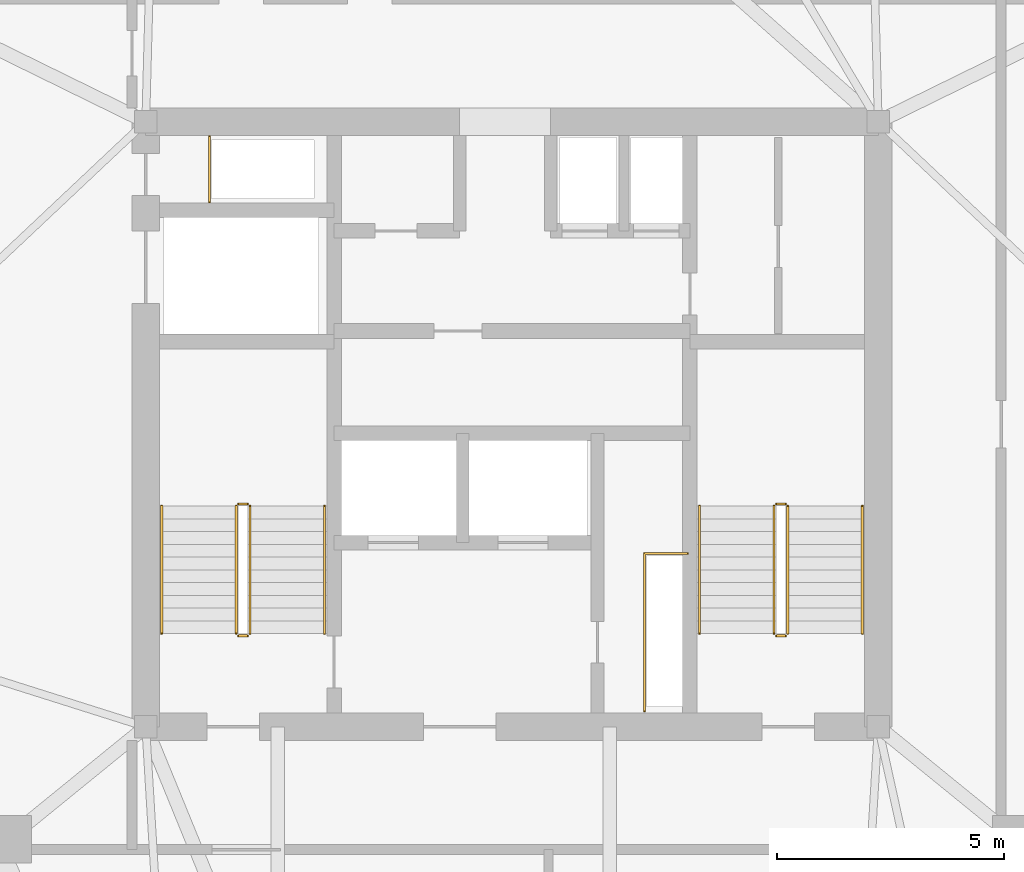
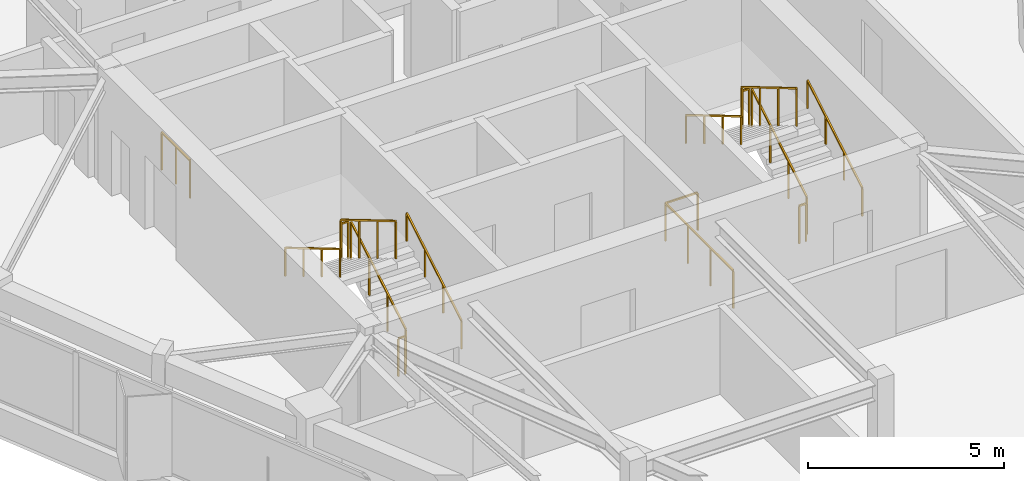
# One storey, part 9 of 9: 14 railings.
"""IFC4 building model written with IfcOpenShell, lengths in metres."""

from ifc_helpers import new_model, si_unit, direction, frame, origin, origin_2d, place, context, subcontext, project, spatial, rectangle, extrude, material, type_object, element, save


model = new_model("IFC4")

# Units and contexts
model_context = context("Model", 3, precision=1e-05, world=origin(), true_north=direction((0.0, 1.0)))
body_context = subcontext(model_context, "Body", "Model", "MODEL_VIEW")
ifc_project = project(units=[si_unit("LENGTHUNIT", "METRE"), si_unit("AREAUNIT", "SQUARE_METRE"), si_unit("VOLUMEUNIT", "CUBIC_METRE"), si_unit("PLANEANGLEUNIT", "RADIAN"), si_unit("MASSUNIT", "GRAM", prefix="KILO")], contexts=[model_context])

# Site, building, storey
site_placement = place(None, origin())
site = spatial("IfcSite", under=ifc_project, at=site_placement, CompositionType="ELEMENT")
building_placement = place(site_placement, origin())
building = spatial("IfcBuilding", under=site, at=building_placement, Name="Talyreon Biosciences Tower", CompositionType="ELEMENT")
storey_placement = place(building_placement, frame((0.0, 0.0, 309.35009765625)))
storey = spatial("IfcBuildingStorey", under=building, at=storey_placement, Name="L82", CompositionType="ELEMENT", Elevation=309.35009765625)

# Railings
ifc_material_1 = material(Name="Brushed stainless-steel tubular handrail", Category="steel")
railing_type_1 = type_object("IfcRailingType", Name="StairWallHandrail_900", PredefinedType="HANDRAIL", material=ifc_material_1)
railing_1_placement = place(storey_placement, frame((61.8798828125, 63.39990234375, 0.165771484375)))
element("IfcRailing", 1, at=railing_1_placement, inside=storey, type_object=railing_type_1, Name="L82 ST-1 stair handrail 1", PredefinedType="HANDRAIL", context=body_context, shape_type="SweptSolid", body=[
    extrude(rectangle(XDim=0.048095703125, YDim=0.048095703125, at=origin_2d()), frame((0.0, 0.0, 0.8759765625), z_axis=(0.0, 0.860306154799, 0.50977771628), x_axis=(-1.0, 0.0, 0.0)), (0.0, 0.0, 1.0), 3.254638671875),
    extrude(rectangle(XDim=0.0419921875, YDim=0.0419921875, at=origin_2d()), origin(), (0.0, 0.0, 1.0), 0.851806640625),
    extrude(rectangle(XDim=0.0419921875, YDim=0.0419921875, at=origin_2d()), frame((0.0, 0.933349609375, 0.552978515625)), (0.0, 0.0, 1.0), 0.851806640625),
    extrude(rectangle(XDim=0.0419921875, YDim=0.0419921875, at=origin_2d()), frame((0.0, 1.86669921875, 1.106201171875)), (0.0, 0.0, 1.0), 0.851806640625),
    extrude(rectangle(XDim=0.0419921875, YDim=0.0419921875, at=origin_2d()), frame((0.0, 2.800048828125, 1.6591796875)), (0.0, 0.0, 1.0), 0.851806640625),
])
railing_2_placement = place(storey_placement, frame((58.300048828125, 66.199951171875, 1.99072265625)))
element("IfcRailing", 2, at=railing_2_placement, inside=storey, type_object=railing_type_1, Name="L82 ST-1 stair handrail 2", PredefinedType="HANDRAIL", context=body_context, shape_type="SweptSolid", body=[
    extrude(rectangle(XDim=0.048095703125, YDim=0.048095703125, at=origin_2d()), frame((0.0, 0.0, 0.8759765625), z_axis=(0.0, -0.860306154799, 0.50977771628), x_axis=(1.0, 0.0, 0.0)), (0.0, 0.0, 1.0), 3.254638671875),
    extrude(rectangle(XDim=0.0419921875, YDim=0.0419921875, at=origin_2d()), origin(), (0.0, 0.0, 1.0), 0.851806640625),
    extrude(rectangle(XDim=0.0419921875, YDim=0.0419921875, at=origin_2d()), frame((0.0, -0.933349609375, 0.552978515625)), (0.0, 0.0, 1.0), 0.851806640625),
    extrude(rectangle(XDim=0.0419921875, YDim=0.0419921875, at=origin_2d()), frame((0.0, -1.86669921875, 1.106201171875)), (0.0, 0.0, 1.0), 0.851806640625),
    extrude(rectangle(XDim=0.0419921875, YDim=0.0419921875, at=origin_2d()), frame((0.0, -2.800048828125, 1.6591796875)), (0.0, 0.0, 1.0), 0.851806640625),
])
railing_3_placement = place(storey_placement, frame((73.699951171875, 63.39990234375, 0.165771484375)))
element("IfcRailing", 3, at=railing_3_placement, inside=storey, type_object=railing_type_1, Name="L82 ST-2 stair handrail 1", PredefinedType="HANDRAIL", context=body_context, shape_type="SweptSolid", body=[
    extrude(rectangle(XDim=0.048095703125, YDim=0.048095703125, at=origin_2d()), frame((0.0, 0.0, 0.8759765625), z_axis=(0.0, 0.860306154799, 0.50977771628), x_axis=(-1.0, 0.0, 0.0)), (0.0, 0.0, 1.0), 3.254638671875),
    extrude(rectangle(XDim=0.0419921875, YDim=0.0419921875, at=origin_2d()), origin(), (0.0, 0.0, 1.0), 0.851806640625),
    extrude(rectangle(XDim=0.0419921875, YDim=0.0419921875, at=origin_2d()), frame((0.0, 0.933349609375, 0.552978515625)), (0.0, 0.0, 1.0), 0.851806640625),
    extrude(rectangle(XDim=0.0419921875, YDim=0.0419921875, at=origin_2d()), frame((0.0, 1.86669921875, 1.106201171875)), (0.0, 0.0, 1.0), 0.851806640625),
    extrude(rectangle(XDim=0.0419921875, YDim=0.0419921875, at=origin_2d()), frame((0.0, 2.800048828125, 1.6591796875)), (0.0, 0.0, 1.0), 0.851806640625),
])
railing_4_placement = place(storey_placement, frame((70.1201171875, 66.199951171875, 1.99072265625)))
element("IfcRailing", 4, at=railing_4_placement, inside=storey, type_object=railing_type_1, Name="L82 ST-2 stair handrail 2", PredefinedType="HANDRAIL", context=body_context, shape_type="SweptSolid", body=[
    extrude(rectangle(XDim=0.048095703125, YDim=0.048095703125, at=origin_2d()), frame((0.0, 0.0, 0.8759765625), z_axis=(0.0, -0.860306154799, 0.50977771628), x_axis=(1.0, 0.0, 0.0)), (0.0, 0.0, 1.0), 3.254638671875),
    extrude(rectangle(XDim=0.0419921875, YDim=0.0419921875, at=origin_2d()), origin(), (0.0, 0.0, 1.0), 0.851806640625),
    extrude(rectangle(XDim=0.0419921875, YDim=0.0419921875, at=origin_2d()), frame((0.0, -0.933349609375, 0.552978515625)), (0.0, 0.0, 1.0), 0.851806640625),
    extrude(rectangle(XDim=0.0419921875, YDim=0.0419921875, at=origin_2d()), frame((0.0, -1.86669921875, 1.106201171875)), (0.0, 0.0, 1.0), 0.851806640625),
    extrude(rectangle(XDim=0.0419921875, YDim=0.0419921875, at=origin_2d()), frame((0.0, -2.800048828125, 1.6591796875)), (0.0, 0.0, 1.0), 0.851806640625),
])
ifc_material_2 = material(Name="Painted galvanised steel post-and-rail balustrade", Category="steel")
railing_type_2 = type_object("IfcRailingType", Name="TerraceStairGuard_1200", PredefinedType="GUARDRAIL", material=ifc_material_2)
railing_5_placement = place(storey_placement, frame((60.239990234375, 63.39990234375, 0.165771484375)))
element("IfcRailing", 5, at=railing_5_placement, inside=storey, type_object=railing_type_2, Name="L82 ST-1 stair guard 1", PredefinedType="GUARDRAIL", context=body_context, shape_type="SweptSolid", body=[
    extrude(rectangle(XDim=0.048095703125, YDim=0.048095703125, at=origin_2d()), frame((0.0, 0.0, 1.17578125), z_axis=(0.0, 0.860306154799, 0.50977771628), x_axis=(-1.0, 0.0, 0.0)), (0.0, 0.0, 1.0), 3.254638671875),
    extrude(rectangle(XDim=0.0419921875, YDim=0.0419921875, at=origin_2d()), origin(), (0.0, 0.0, 1.0), 1.15185546875),
    extrude(rectangle(XDim=0.0419921875, YDim=0.0419921875, at=origin_2d()), frame((0.0, 0.933349609375, 0.552978515625)), (0.0, 0.0, 1.0), 1.15185546875),
    extrude(rectangle(XDim=0.0419921875, YDim=0.0419921875, at=origin_2d()), frame((0.0, 1.86669921875, 1.106201171875)), (0.0, 0.0, 1.0), 1.15185546875),
    extrude(rectangle(XDim=0.0419921875, YDim=0.0419921875, at=origin_2d()), frame((0.0, 2.800048828125, 1.6591796875)), (0.0, 0.0, 1.0), 1.15185546875),
])
railing_6_placement = place(storey_placement, frame((60.18994140625, 66.25, 1.824951171875)))
element("IfcRailing", 6, at=railing_6_placement, inside=storey, type_object=railing_type_2, Name="L82 ST-1 stair guard 2", PredefinedType="GUARDRAIL", context=body_context, shape_type="SweptSolid", body=[
    extrude(rectangle(XDim=0.048095703125, YDim=0.048095703125, at=origin_2d()), frame((0.0, 0.0, 1.17578125), z_axis=(-1.0, 0.0, 0.0), x_axis=(0.0, -1.0, 0.0)), (0.0, 0.0, 1.0), 0.199951171875),
    extrude(rectangle(XDim=0.0419921875, YDim=0.0419921875, at=origin_2d()), origin(), (0.0, 0.0, 1.0), 1.15185546875),
    extrude(rectangle(XDim=0.0419921875, YDim=0.0419921875, at=origin_2d()), frame((-0.199951171875, 0.0, 0.0)), (0.0, 0.0, 1.0), 1.15185546875),
])
railing_7_placement = place(storey_placement, frame((59.93994140625, 66.199951171875, 1.99072265625)))
element("IfcRailing", 7, at=railing_7_placement, inside=storey, type_object=railing_type_2, Name="L82 ST-1 stair guard 3", PredefinedType="GUARDRAIL", context=body_context, shape_type="SweptSolid", body=[
    extrude(rectangle(XDim=0.048095703125, YDim=0.048095703125, at=origin_2d()), frame((0.0, 0.0, 1.17578125), z_axis=(0.0, -0.860306154799, 0.50977771628), x_axis=(1.0, 0.0, 0.0)), (0.0, 0.0, 1.0), 3.254638671875),
    extrude(rectangle(XDim=0.0419921875, YDim=0.0419921875, at=origin_2d()), origin(), (0.0, 0.0, 1.0), 1.15185546875),
    extrude(rectangle(XDim=0.0419921875, YDim=0.0419921875, at=origin_2d()), frame((0.0, -0.933349609375, 0.552978515625)), (0.0, 0.0, 1.0), 1.15185546875),
    extrude(rectangle(XDim=0.0419921875, YDim=0.0419921875, at=origin_2d()), frame((0.0, -1.86669921875, 1.106201171875)), (0.0, 0.0, 1.0), 1.15185546875),
    extrude(rectangle(XDim=0.0419921875, YDim=0.0419921875, at=origin_2d()), frame((0.0, -2.800048828125, 1.6591796875)), (0.0, 0.0, 1.0), 1.15185546875),
])
railing_8_placement = place(storey_placement, frame((60.18994140625, 63.35009765625, 0.0)))
element("IfcRailing", 8, at=railing_8_placement, inside=storey, type_object=railing_type_2, Name="L82 ST-1 stair guard 4", PredefinedType="GUARDRAIL", context=body_context, shape_type="SweptSolid", body=[
    extrude(rectangle(XDim=0.048095703125, YDim=0.048095703125, at=origin_2d()), frame((0.0, 0.0, 1.17578125), z_axis=(-1.0, 0.0, 0.0), x_axis=(0.0, -1.0, 0.0)), (0.0, 0.0, 1.0), 0.199951171875),
    extrude(rectangle(XDim=0.0419921875, YDim=0.0419921875, at=origin_2d()), origin(), (0.0, 0.0, 1.0), 1.15185546875),
    extrude(rectangle(XDim=0.0419921875, YDim=0.0419921875, at=origin_2d()), frame((-0.199951171875, 0.0, 0.0)), (0.0, 0.0, 1.0), 1.15185546875),
])
railing_9_placement = place(storey_placement, frame((72.06005859375, 63.39990234375, 0.165771484375)))
element("IfcRailing", 9, at=railing_9_placement, inside=storey, type_object=railing_type_2, Name="L82 ST-2 stair guard 1", PredefinedType="GUARDRAIL", context=body_context, shape_type="SweptSolid", body=[
    extrude(rectangle(XDim=0.048095703125, YDim=0.048095703125, at=origin_2d()), frame((0.0, 0.0, 1.17578125), z_axis=(0.0, 0.860306154799, 0.50977771628), x_axis=(-1.0, 0.0, 0.0)), (0.0, 0.0, 1.0), 3.254638671875),
    extrude(rectangle(XDim=0.0419921875, YDim=0.0419921875, at=origin_2d()), origin(), (0.0, 0.0, 1.0), 1.15185546875),
    extrude(rectangle(XDim=0.0419921875, YDim=0.0419921875, at=origin_2d()), frame((0.0, 0.933349609375, 0.552978515625)), (0.0, 0.0, 1.0), 1.15185546875),
    extrude(rectangle(XDim=0.0419921875, YDim=0.0419921875, at=origin_2d()), frame((0.0, 1.86669921875, 1.106201171875)), (0.0, 0.0, 1.0), 1.15185546875),
    extrude(rectangle(XDim=0.0419921875, YDim=0.0419921875, at=origin_2d()), frame((0.0, 2.800048828125, 1.6591796875)), (0.0, 0.0, 1.0), 1.15185546875),
])
railing_10_placement = place(storey_placement, frame((72.010009765625, 66.25, 1.824951171875)))
element("IfcRailing", 10, at=railing_10_placement, inside=storey, type_object=railing_type_2, Name="L82 ST-2 stair guard 2", PredefinedType="GUARDRAIL", context=body_context, shape_type="SweptSolid", body=[
    extrude(rectangle(XDim=0.048095703125, YDim=0.048095703125, at=origin_2d()), frame((0.0, 0.0, 1.17578125), z_axis=(-1.0, 0.0, 0.0), x_axis=(0.0, -1.0, 0.0)), (0.0, 0.0, 1.0), 0.199951171875),
    extrude(rectangle(XDim=0.0419921875, YDim=0.0419921875, at=origin_2d()), origin(), (0.0, 0.0, 1.0), 1.15185546875),
    extrude(rectangle(XDim=0.0419921875, YDim=0.0419921875, at=origin_2d()), frame((-0.199951171875, 0.0, 0.0)), (0.0, 0.0, 1.0), 1.15185546875),
])
railing_11_placement = place(storey_placement, frame((71.760009765625, 66.199951171875, 1.99072265625)))
element("IfcRailing", 11, at=railing_11_placement, inside=storey, type_object=railing_type_2, Name="L82 ST-2 stair guard 3", PredefinedType="GUARDRAIL", context=body_context, shape_type="SweptSolid", body=[
    extrude(rectangle(XDim=0.048095703125, YDim=0.048095703125, at=origin_2d()), frame((0.0, 0.0, 1.17578125), z_axis=(0.0, -0.860306154799, 0.50977771628), x_axis=(1.0, 0.0, 0.0)), (0.0, 0.0, 1.0), 3.254638671875),
    extrude(rectangle(XDim=0.0419921875, YDim=0.0419921875, at=origin_2d()), origin(), (0.0, 0.0, 1.0), 1.15185546875),
    extrude(rectangle(XDim=0.0419921875, YDim=0.0419921875, at=origin_2d()), frame((0.0, -0.933349609375, 0.552978515625)), (0.0, 0.0, 1.0), 1.15185546875),
    extrude(rectangle(XDim=0.0419921875, YDim=0.0419921875, at=origin_2d()), frame((0.0, -1.86669921875, 1.106201171875)), (0.0, 0.0, 1.0), 1.15185546875),
    extrude(rectangle(XDim=0.0419921875, YDim=0.0419921875, at=origin_2d()), frame((0.0, -2.800048828125, 1.6591796875)), (0.0, 0.0, 1.0), 1.15185546875),
])
railing_12_placement = place(storey_placement, frame((72.010009765625, 63.35009765625, 0.0)))
element("IfcRailing", 12, at=railing_12_placement, inside=storey, type_object=railing_type_2, Name="L82 ST-2 stair guard 4", PredefinedType="GUARDRAIL", context=body_context, shape_type="SweptSolid", body=[
    extrude(rectangle(XDim=0.048095703125, YDim=0.048095703125, at=origin_2d()), frame((0.0, 0.0, 1.17578125), z_axis=(-1.0, 0.0, 0.0), x_axis=(0.0, -1.0, 0.0)), (0.0, 0.0, 1.0), 0.199951171875),
    extrude(rectangle(XDim=0.0419921875, YDim=0.0419921875, at=origin_2d()), origin(), (0.0, 0.0, 1.0), 1.15185546875),
    extrude(rectangle(XDim=0.0419921875, YDim=0.0419921875, at=origin_2d()), frame((-0.199951171875, 0.0, 0.0)), (0.0, 0.0, 1.0), 1.15185546875),
])
railing_13_placement = place(storey_placement, frame((59.35009765625, 72.8798828125, 0.0)))
element("IfcRailing", 13, at=railing_13_placement, inside=storey, type_object=railing_type_2, Name="L82 Exhaust Riser Maintenance Guardrail", PredefinedType="GUARDRAIL", context=body_context, shape_type="SweptSolid", body=[
    extrude(rectangle(XDim=0.048095703125, YDim=0.048095703125, at=origin_2d()), frame((0.0, 0.0, 1.17578125), z_axis=(0.0, 1.0, 0.0), x_axis=(-1.0, 0.0, 0.0)), (0.0, 0.0, 1.0), 1.4501953125),
    extrude(rectangle(XDim=0.0419921875, YDim=0.0419921875, at=origin_2d()), origin(), (0.0, 0.0, 1.0), 1.15185546875),
    extrude(rectangle(XDim=0.0419921875, YDim=0.0419921875, at=origin_2d()), frame((0.0, 0.72509765625, 0.0)), (0.0, 0.0, 1.0), 1.15185546875),
    extrude(rectangle(XDim=0.0419921875, YDim=0.0419921875, at=origin_2d()), frame((0.0, 1.4501953125, 0.0)), (0.0, 0.0, 1.0), 1.15185546875),
])
railing_14_placement = place(storey_placement, frame((68.909912109375, 61.699951171875, 0.0)))
element("IfcRailing", 14, at=railing_14_placement, inside=storey, type_object=railing_type_2, Name="L82 Electrical Riser Maintenance Guardrail", PredefinedType="GUARDRAIL", context=body_context, shape_type="SweptSolid", body=[
    extrude(rectangle(XDim=0.048095703125, YDim=0.048095703125, at=origin_2d()), frame((0.0, 0.0, 1.17578125), z_axis=(0.0, 1.0, 0.0), x_axis=(-1.0, 0.0, 0.0)), (0.0, 0.0, 1.0), 3.4599609375),
    extrude(rectangle(XDim=0.048095703125, YDim=0.048095703125, at=origin_2d()), frame((0.0, 3.4599609375, 1.17578125), z_axis=(1.0, 0.0, 0.0), x_axis=(0.0, 1.0, 0.0)), (0.0, 0.0, 1.0), 0.9501953125),
    extrude(rectangle(XDim=0.0419921875, YDim=0.0419921875, at=origin_2d()), origin(), (0.0, 0.0, 1.0), 1.15185546875),
    extrude(rectangle(XDim=0.0419921875, YDim=0.0419921875, at=origin_2d()), frame((0.0, 1.1533203125, 0.0)), (0.0, 0.0, 1.0), 1.15185546875),
    extrude(rectangle(XDim=0.0419921875, YDim=0.0419921875, at=origin_2d()), frame((0.0, 2.306640625, 0.0)), (0.0, 0.0, 1.0), 1.15185546875),
    extrude(rectangle(XDim=0.0419921875, YDim=0.0419921875, at=origin_2d()), frame((0.0, 3.4599609375, 0.0)), (0.0, 0.0, 1.0), 1.15185546875),
    extrude(rectangle(XDim=0.0419921875, YDim=0.0419921875, at=origin_2d()), frame((0.9501953125, 3.4599609375, 0.0)), (0.0, 0.0, 1.0), 1.15185546875),
])

save(model, "model.ifc")
